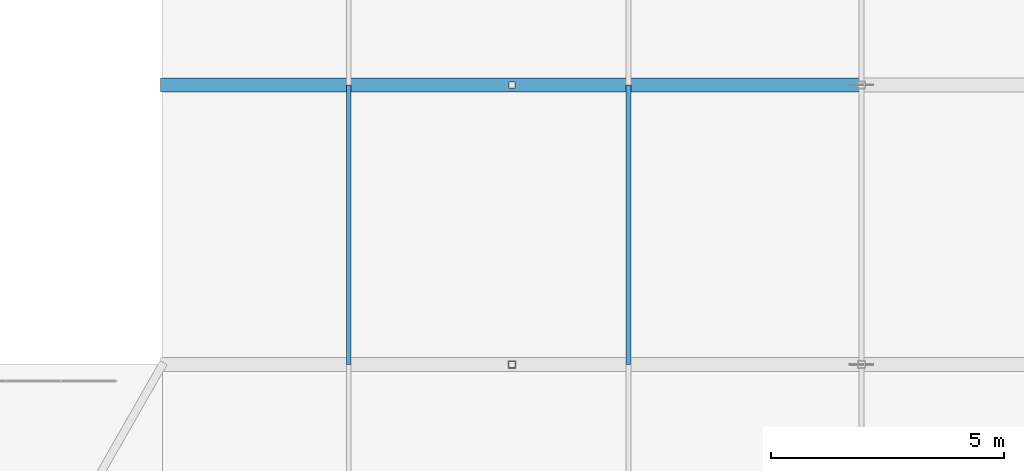
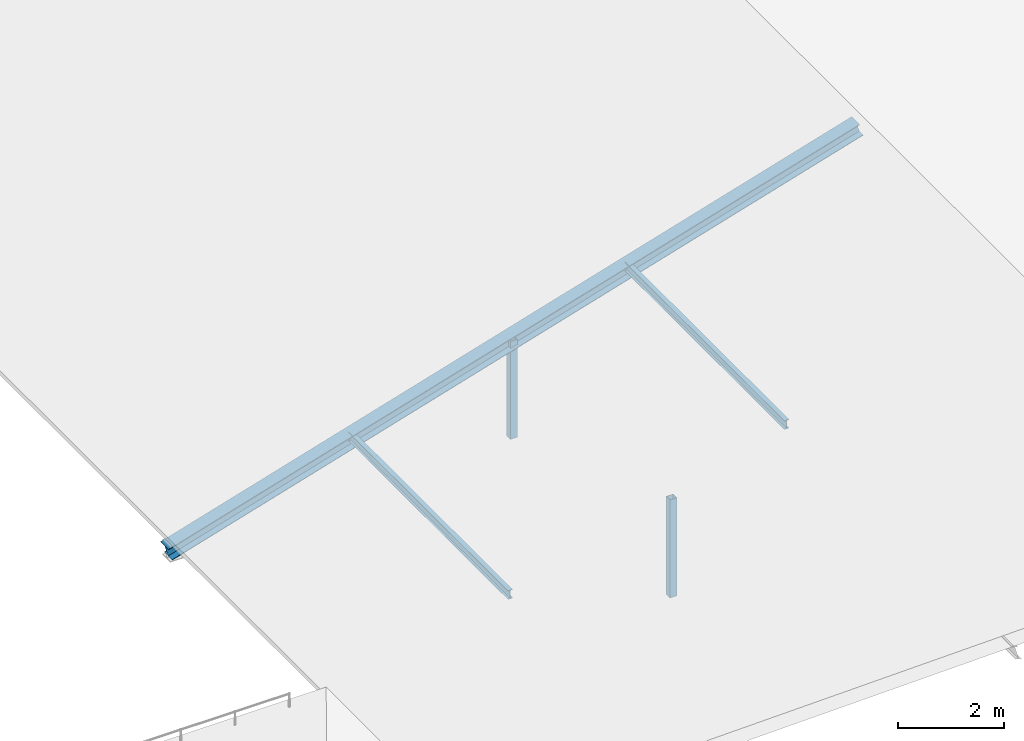
# One storey, part 55 of 204: 5 members.
"""IFC4 building model written with IfcOpenShell, lengths in metres."""

import ifcopenshell
import ifcopenshell.guid

model = None  # the IFC model being written
_history = None  # IfcOwnerHistory: only IFC2X3 demands one
_inside = {}  # id of a spatial element -> (the spatial element, [elements in it])
_under = {}  # id of a project, library or spatial element -> (it, [spatial elements below it])
_declared = {}  # id of a project -> (the project, [libraries it declares])
_typed = {}  # id of a type object -> (the type object, [elements of that type])
_made_of = {}  # id of a material, layer set ... -> (it, [elements and type objects made of it])


def new_model(schema):
    """Start an empty IFC model of exactly this schema.

    Asked for "IFC4X3", IfcOpenShell would pick the latest addendum, in which some entities
    have other attributes; the version numbers below select the first issue.
    IFC2X3 requires an IfcOwnerHistory on every rooted entity: one is made here for all.
    """
    global model, _history
    if schema == "IFC4X3":
        model = ifcopenshell.file(schema_version=(4, 3, 0, 0))
    else:
        model = ifcopenshell.file(schema=schema)
    _inside.clear()
    _under.clear()
    _declared.clear()
    _typed.clear()
    _made_of.clear()
    _history = None
    if model.schema == "IFC2X3":
        org = make("IfcOrganization", Name="unknown")
        user = make(
            "IfcPersonAndOrganization",
            ThePerson=make("IfcPerson", FamilyName="unknown"),
            TheOrganization=org,
        )
        app = make(
            "IfcApplication",
            ApplicationDeveloper=org,
            Version="unknown",
            ApplicationFullName="unknown",
            ApplicationIdentifier="unknown",
        )
        _history = make(
            "IfcOwnerHistory",
            OwningUser=user,
            OwningApplication=app,
            ChangeAction="ADDED",
            CreationDate=0,
        )
    return model


def make(cls, **values):
    """One entity of the class cls with the attributes given. An attribute that is None is left unset."""
    return model.create_entity(
        cls, **{name: value for name, value in values.items() if value is not None}
    )


def rooted(cls, **values):
    """An entity with a GlobalId (a new one), such as an element, a storey or a relation."""
    return make(cls, GlobalId=ifcopenshell.guid.new(), OwnerHistory=_history, **values)


def si_unit(unit_type, name, prefix=None):
    """IfcSIUnit, for example si_unit("LENGTHUNIT", "METRE", prefix="MILLI")."""
    return make("IfcSIUnit", UnitType=unit_type, Prefix=prefix, Name=name)


def assignment(units):
    """IfcUnitAssignment: the units of a project."""
    return None if units is None else make("IfcUnitAssignment", Units=units)


def point(xyz):
    """IfcCartesianPoint."""
    return None if xyz is None else make("IfcCartesianPoint", Coordinates=xyz)


def direction(xyz):
    """IfcDirection."""
    return None if xyz is None else make("IfcDirection", DirectionRatios=xyz)


def frame(location, z_axis=None, x_axis=None):
    """IfcAxis2Placement3D, a coordinate frame: its origin and axes. An axis left out is left unset."""
    return make(
        "IfcAxis2Placement3D",
        Location=point(location),
        Axis=direction(z_axis),
        RefDirection=direction(x_axis),
    )


def frame_2d(location, x_axis=None):
    """IfcAxis2Placement2D, a coordinate frame in the plane: its origin and x axis."""
    return make(
        "IfcAxis2Placement2D", Location=point(location), RefDirection=direction(x_axis)
    )


def origin():
    """The frame at (0, 0, 0) with its axes left unset."""
    return frame((0.0, 0.0, 0.0))


def origin_2d():
    """The frame at (0, 0) in the plane with its x axis left unset."""
    return frame_2d((0.0, 0.0))


def place(relative_to, where):
    """IfcLocalPlacement: puts the frame where relative to a parent placement (None: the world)."""
    return make(
        "IfcLocalPlacement", PlacementRelTo=relative_to, RelativePlacement=where
    )


def context(
    kind, dimensions, precision=None, world=None, true_north=None, identifier=None
):
    """IfcGeometricRepresentationContext, for example the 3D "Model" context."""
    return make(
        "IfcGeometricRepresentationContext",
        ContextIdentifier=identifier,
        ContextType=kind,
        CoordinateSpaceDimension=dimensions,
        Precision=precision,
        WorldCoordinateSystem=world,
        TrueNorth=true_north,
    )


def subcontext(parent, identifier, kind, view, scale=None):
    """IfcGeometricRepresentationSubContext, for example "Body" below "Model"."""
    return make(
        "IfcGeometricRepresentationSubContext",
        ContextIdentifier=identifier,
        ContextType=kind,
        ParentContext=parent,
        TargetScale=scale,
        TargetView=view,
    )


def project(units=None, contexts=None):
    """IfcProject with its units and contexts."""
    return rooted(
        "IfcProject",
        Name="project",
        RepresentationContexts=contexts,
        UnitsInContext=assignment(units),
    )


def spatial(cls, under=None, at=None, **own):
    """A site, building, storey or space (cls), placed at a placement, below another one or the project."""
    s = rooted(cls, ObjectPlacement=at, **own)
    if under is not None:
        _under.setdefault(under.id(), (under, []))[1].append(s)
    return s


def profile(cls, at=None, kind="AREA", **sizes):
    """A parametric profile (cls). Its sizes go by their IFC names, for example OverallWidth=200.0."""
    return make(cls, ProfileType=kind, Position=at, **sizes)


def hollow_rectangle(**sizes):
    """IfcRectangleHollowProfileDef."""
    return profile("IfcRectangleHollowProfileDef", **sizes)


def i_section(**sizes):
    """IfcIShapeProfileDef."""
    return profile("IfcIShapeProfileDef", **sizes)


def extrude(swept, where, along, depth):
    """IfcExtrudedAreaSolid: the profile swept, set in the frame where, extruded along a direction by depth."""
    return make(
        "IfcExtrudedAreaSolid",
        SweptArea=swept,
        Position=where,
        ExtrudedDirection=direction(along),
        Depth=depth,
    )


def shape(context_of_items, identifier, shape_type, items):
    """IfcShapeRepresentation: the items that make up one representation, for example the "Body"."""
    return make(
        "IfcShapeRepresentation",
        ContextOfItems=context_of_items,
        RepresentationIdentifier=identifier,
        RepresentationType=shape_type,
        Items=items,
    )


def material(Name=None, Category=None):
    """IfcMaterial."""
    return make("IfcMaterial", Name=Name, Category=Category)


def material_profile(
    of_material, cross_section, Name=None, Category=None, Priority=None
):
    """IfcMaterialProfile: a cross section and its material."""
    return make(
        "IfcMaterialProfile",
        Name=Name,
        Material=of_material,
        Profile=cross_section,
        Priority=Priority,
        Category=Category,
    )


def profile_set(profiles, Name=None, composite=None):
    """IfcMaterialProfileSet."""
    return make(
        "IfcMaterialProfileSet",
        Name=Name,
        MaterialProfiles=profiles,
        CompositeProfile=composite,
    )


def made_of(thing, what):
    """Note that an element or type object is made of a material, layer set ...; save() writes the relation."""
    if what is not None:
        _made_of.setdefault(what.id(), (what, []))[1].append(thing)
    return thing


def type_object(cls, material=None, **own):
    """A type object (cls), such as IfcWallType, which elements share."""
    return made_of(rooted(cls, **own), material)


def element(
    cls,
    number,
    at=None,
    inside=None,
    cuts=None,
    type_object=None,
    material=None,
    context=None,
    identifier="Body",
    shape_type=None,
    held_by="IfcProductDefinitionShape",
    body=None,
    shapes=None,
    **own,
):
    """One element of the class cls, such as IfcWall. Its Tag is "e" and its number.

    at: its placement. inside: the storey or other place that contains it. cuts: it is an
    opening in that element (IfcRelVoidsElement). A single representation is given by context,
    identifier, shape_type and body (its items); several are given by shapes. held_by: the class
    of the entity that holds the representations. save() writes the other relations.
    """
    e = rooted(cls, Tag="e%d" % number, ObjectPlacement=at, **own)
    if body is not None:
        shapes = [shape(context, identifier, shape_type, body)]
    if shapes is not None:
        e.Representation = make(held_by, Representations=shapes)
    if inside is not None:
        _inside.setdefault(inside.id(), (inside, []))[1].append(e)
    if cuts is not None:
        rooted(
            "IfcRelVoidsElement", RelatingBuildingElement=cuts, RelatedOpeningElement=e
        )
    if type_object is not None:
        _typed.setdefault(type_object.id(), (type_object, []))[1].append(e)
    return made_of(e, material)


def aggregate(whole, parts):
    """IfcRelAggregates: a whole, such as a stair, and the parts it consists of."""
    return rooted("IfcRelAggregates", RelatingObject=whole, RelatedObjects=parts)


def save(model, path):
    """Write the relations noted so far, then the file.

    IfcRelAggregates (storeys below a building ...), IfcRelContainedInSpatialStructure (elements
    in a storey), IfcRelDefinesByType, IfcRelAssociatesMaterial and IfcRelDeclares: one each for
    every whole, place, type object, material and project.
    """
    for whole, parts in _under.values():
        aggregate(whole, parts)
    for where, things in _inside.values():
        rooted(
            "IfcRelContainedInSpatialStructure",
            RelatedElements=things,
            RelatingStructure=where,
        )
    for kind, things in _typed.values():
        rooted("IfcRelDefinesByType", RelatedObjects=things, RelatingType=kind)
    for what, things in _made_of.values():
        rooted("IfcRelAssociatesMaterial", RelatedObjects=things, RelatingMaterial=what)
    for by, libraries in _declared.values():
        rooted("IfcRelDeclares", RelatingContext=by, RelatedDefinitions=libraries)
    model.write(path)


model = new_model("IFC4")

# Units and contexts
model_context = context("Model", 3, precision=1e-05, world=origin(), true_north=direction((0.0, 1.0)))
body_context = subcontext(model_context, "Body", "Model", "MODEL_VIEW")
ifc_project = project(units=[si_unit("LENGTHUNIT", "METRE"), si_unit("AREAUNIT", "SQUARE_METRE"), si_unit("VOLUMEUNIT", "CUBIC_METRE"), si_unit("PLANEANGLEUNIT", "RADIAN"), si_unit("MASSUNIT", "GRAM", prefix="KILO")], contexts=[model_context])

# Site, building, storey
site_placement = place(None, origin())
site = spatial("IfcSite", under=ifc_project, at=site_placement, CompositionType="ELEMENT")
building_placement = place(site_placement, origin())
building = spatial("IfcBuilding", under=site, at=building_placement, Name="Zilviju Railside Exhibition Hall", CompositionType="ELEMENT")
storey_placement = place(building_placement, frame((0.0, 0.0, 21.0)))
storey = spatial("IfcBuildingStorey", under=building, at=storey_placement, Name="RF", CompositionType="ELEMENT", Elevation=21.0)

# Members
ifc_material = material(Name="Steel S355J2", Category="steel")
ifc_material_profile_1 = material_profile(ifc_material, hollow_rectangle(XDim=0.14990234375, YDim=0.14990234375, WallThickness=0.008056640625, at=origin_2d()), Name="SHS 150x150x8.0")
ifc_profile_set_1 = profile_set([ifc_material_profile_1], Name="Steel S355J2")
member_type_1 = type_object("IfcMemberType", Name="TR-POST-SHS150", PredefinedType="POST", material=ifc_profile_set_1)
for number, where, z_axis, x_axis, name in (
    (1, (55.5, 78.0, -8.39990234375), (0.0, 0.0, 1.0), (1.0, 0.0, 0.0), "Concourse Saddle Queen Post Y=78.0"),
    (2, (55.5, 84.0, -8.39990234375), (0.0, 0.0, 1.0), (1.0, 0.0, 0.0), "Concourse Saddle Queen Post Y=84.0"),
):
    element("IfcMember", number, at=place(storey_placement, frame(where, z_axis=z_axis, x_axis=x_axis)), inside=storey, type_object=member_type_1, Name=name, PredefinedType="POST", context=body_context, shape_type="SweptSolid", body=[
        extrude(hollow_rectangle(XDim=0.14990234375, YDim=0.14990234375, WallThickness=0.008056640625, at=origin_2d()), origin(), (0.0, 0.0, 1.0), 2.25),
    ])
ifc_material_profile_2 = material_profile(ifc_material, i_section(OverallWidth=0.10009765625, OverallDepth=0.199951171875, WebThickness=0.005615234375, FlangeThickness=0.008544921875, at=origin_2d()), Name="IPE 200")
ifc_profile_set_2 = profile_set([ifc_material_profile_2], Name="Steel S355J2")
member_type_2 = type_object("IfcMemberType", Name="TR-PUR-IPE200", PredefinedType="PURLIN", material=ifc_profile_set_2)
for number, where, z_axis, x_axis, name in (
    (3, (52.0, 78.0, -7.159912109375), (0.0, 1.0, 0.0), (-1.0, 0.0, 0.0), "Concourse Lantern Purlin X=52.0"),
    (4, (58.0, 78.0, -5.360107421875), (0.0, 1.0, 0.0), (-1.0, 0.0, 0.0), "Concourse Lantern Purlin X=58.0"),
):
    element("IfcMember", number, at=place(storey_placement, frame(where, z_axis=z_axis, x_axis=x_axis)), inside=storey, type_object=member_type_2, Name=name, PredefinedType="PURLIN", context=body_context, shape_type="SweptSolid", body=[
        extrude(i_section(OverallWidth=0.10009765625, OverallDepth=0.199951171875, WebThickness=0.005615234375, FlangeThickness=0.008544921875, at=origin_2d()), origin(), (0.0, 0.0, 1.0), 6.0),
    ])
ifc_material_profile_3 = material_profile(ifc_material, i_section(OverallWidth=0.300048828125, OverallDepth=0.2900390625, WebThickness=0.008544921875, FlangeThickness=0.013916015625, at=origin_2d()), Name="HEA 300")
ifc_profile_set_3 = profile_set([ifc_material_profile_3], Name="Steel S355J2")
member_type_3 = type_object("IfcMemberType", Name="TR-RAF-HEA300", PredefinedType="RAFTER", material=ifc_profile_set_3)
member_placement = place(storey_placement, frame((48.0, 84.0, -8.39990234375), z_axis=(0.957826285221, 0.0, 0.287347885566), x_axis=(0.0, 1.0, 0.0)))
element("IfcMember", 5, at=member_placement, inside=storey, type_object=member_type_3, Name="Concourse Saddle West Rafter Y=84.0", PredefinedType="RAFTER", context=body_context, shape_type="SweptSolid", body=[
    extrude(i_section(OverallWidth=0.300048828125, OverallDepth=0.2900390625, WebThickness=0.008544921875, FlangeThickness=0.013916015625, at=origin_2d()), origin(), (0.0, 0.0, 1.0), 15.660400390625),
])

save(model, "model.ifc")
